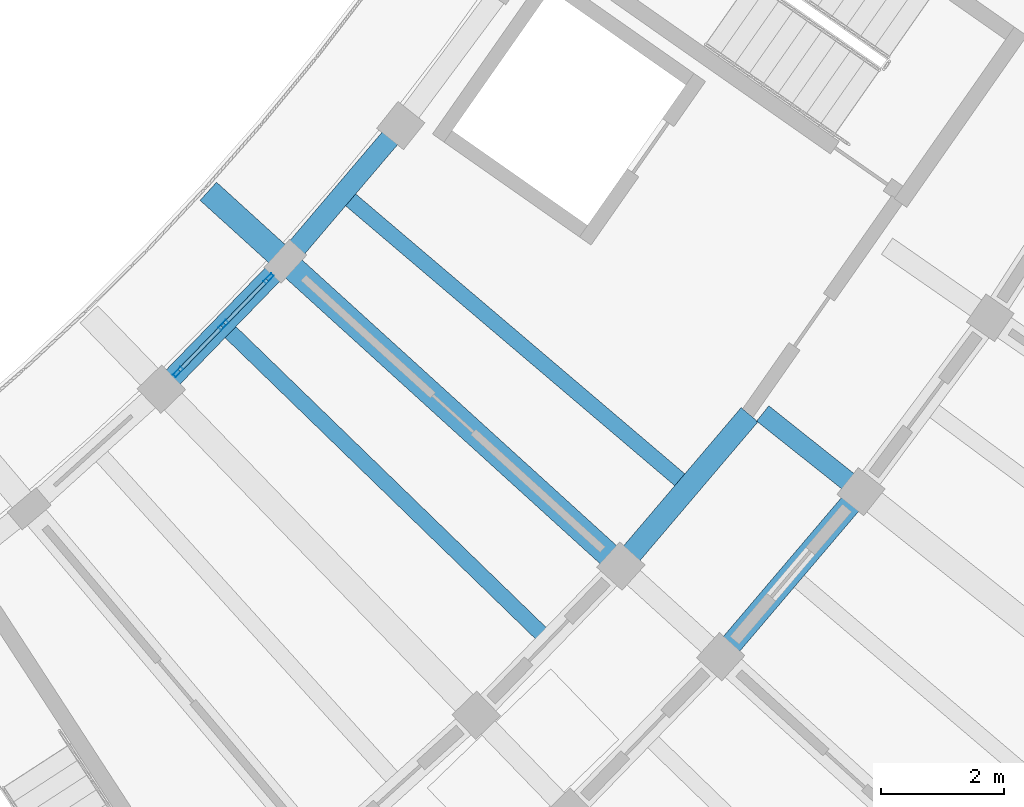
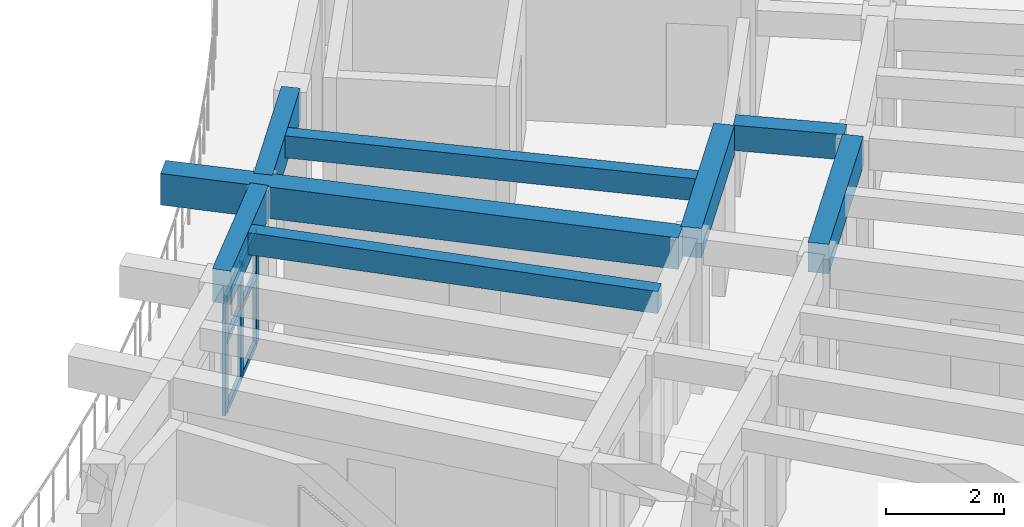
# One storey, part 13 of 69: 9 members, 8 beams, 1 element without a shape of its own.
"""IFC4 building model written with IfcOpenShell, lengths in metres."""

from ifc_helpers import new_model, si_unit, direction, frame, origin, origin_2d, place, context, subcontext, project, spatial, rectangle, hollow_rectangle, extrude, material, material_profile, profile_set, type_object, element, aggregate, save


model = new_model("IFC4")

# Units and contexts
model_context = context("Model", 3, precision=1e-05, world=origin(), true_north=direction((0.0, 1.0)))
body_context = subcontext(model_context, "Body", "Model", "MODEL_VIEW")
ifc_project = project(units=[si_unit("LENGTHUNIT", "METRE"), si_unit("AREAUNIT", "SQUARE_METRE"), si_unit("VOLUMEUNIT", "CUBIC_METRE"), si_unit("PLANEANGLEUNIT", "RADIAN"), si_unit("MASSUNIT", "GRAM", prefix="KILO")], contexts=[model_context])

# Site, building, storey
site_placement = place(None, origin())
site = spatial("IfcSite", under=ifc_project, at=site_placement, CompositionType="ELEMENT")
building_placement = place(site_placement, origin())
building = spatial("IfcBuilding", under=site, at=building_placement, Name="Tanwirah Colonnade Gardens", CompositionType="ELEMENT")
storey_placement = place(building_placement, frame((0.0, 0.0, 15.56005859375)))
storey = spatial("IfcBuildingStorey", under=building, at=storey_placement, Name="L04", CompositionType="ELEMENT", Elevation=15.56005859375)

# Beams
ifc_material_1 = material(Name="Precast concrete C40/50", Category="concrete")
ifc_material_profile_1 = material_profile(ifc_material_1, rectangle(XDim=0.360107421875, YDim=0.610107421875, at=origin_2d()), Name="PC-BM 360x610")
ifc_profile_set_1 = profile_set([ifc_material_profile_1], Name="Precast concrete C40/50")
beam_type_1 = type_object("IfcBeamType", Name="BM-PC300", PredefinedType="BEAM", material=ifc_profile_set_1)
beam_1_placement = place(storey_placement, frame((159.4775390625, 29.751953125, 2.804931640625), z_axis=(0.647730901566, 0.761869200819, 0.0), x_axis=(-0.761869200819, 0.647730901566, 0.0)))
element("IfcBeam", 1, at=beam_1_placement, inside=storey, type_object=beam_type_1, Name="Block D L04 Circumferential Beam 9-R1", PredefinedType="BEAM", context=body_context, shape_type="SweptSolid", body=[
    extrude(rectangle(XDim=0.360107421875, YDim=0.610107421875, at=origin_2d()), origin(), (0.0, 0.0, 1.0), 3.093017578125),
])
beam_2_placement = place(storey_placement, frame((161.10595703125, 28.27294921875, 2.804931640625), z_axis=(0.6478235549, 0.761790418499, 0.0), x_axis=(-0.761790418499, 0.6478235549, 0.0)))
element("IfcBeam", 2, at=beam_2_placement, inside=storey, type_object=beam_type_1, Name="Block D L04 Circumferential Beam 9-R2", PredefinedType="BEAM", context=body_context, shape_type="SweptSolid", body=[
    extrude(rectangle(XDim=0.360107421875, YDim=0.610107421875, at=origin_2d()), origin(), (0.0, 0.0, 1.0), 3.23681640625),
])
ifc_material_profile_2 = material_profile(ifc_material_1, rectangle(XDim=0.320068359375, YDim=0.52001953125, at=origin_2d()), Name="PC-BM 320x520")
ifc_profile_set_2 = profile_set([ifc_material_profile_2], Name="Precast concrete C40/50")
beam_type_2 = type_object("IfcBeamType", Name="BM-PC320", PredefinedType="BEAM", material=ifc_profile_set_2)
beam_3_placement = place(storey_placement, frame((161.695556640625, 32.129150390625, 2.849853515625), z_axis=(0.782670764896, -0.622435919415, 0.0), x_axis=(0.622435919415, 0.782670764896, 0.0)))
element("IfcBeam", 3, at=beam_3_placement, inside=storey, type_object=beam_type_2, Name="Block D L04 Corridor Tie Beam 10", PredefinedType="BEAM", context=body_context, shape_type="SweptSolid", body=[
    extrude(rectangle(XDim=0.320068359375, YDim=0.52001953125, at=origin_2d()), origin(), (0.0, 0.0, 1.0), 1.89990234375),
])
ifc_material_2 = material(Name="Precast concrete C45/55", Category="concrete")
ifc_material_profile_3 = material_profile(ifc_material_2, rectangle(XDim=0.39990234375, YDim=0.64990234375, at=origin_2d()), Name="PC-BM 400x650")
ifc_profile_set_3 = profile_set([ifc_material_profile_3], Name="Precast concrete C45/55")
beam_type_3 = type_object("IfcBeamType", Name="BM-PC400", PredefinedType="BEAM", material=ifc_profile_set_3)
beam_4_placement = place(storey_placement, frame((159.269287109375, 29.738525390625, 2.784912109375), z_axis=(-0.740212791446, 0.672372681911, 0.0), x_axis=(-0.672372681911, -0.740212791446, 0.0)))
element("IfcBeam", 4, at=beam_4_placement, inside=storey, type_object=beam_type_3, Name="Block D L04 Inner Radial Precast Girder 9", PredefinedType="BEAM", context=body_context, shape_type="SweptSolid", body=[
    extrude(rectangle(XDim=0.39990234375, YDim=0.64990234375, at=origin_2d()), origin(), (0.0, 0.0, 1.0), 8.9501953125),
])

# Curtain wall, members
ifc_material_3 = material(Name="Bronze-anodised aluminium and solar-control low-E glass", Category="aluminium")
curtain_wall_type = type_object("IfcCurtainWallType", Name="CW-GDN", PredefinedType="NOTDEFINED", material=ifc_material_3)
curtain_wall_placement = place(storey_placement, origin())
curtain_wall = element("IfcCurtainWall", 5, at=curtain_wall_placement, inside=storey, type_object=curtain_wall_type, Name="Curtain Wall CW-D-L04-IN-08", PredefinedType="NOTDEFINED")
ifc_material_4 = material(Name="Bronze-anodised aluminium", Category="aluminium")
ifc_material_profile_4 = material_profile(ifc_material_4, hollow_rectangle(XDim=0.06494140625, YDim=0.179931640625, WallThickness=0.00390625, at=origin_2d()), Name="CW-MUL 65x180x4")
ifc_profile_set_4 = profile_set([ifc_material_profile_4], Name="Bronze-anodised aluminium")
member_type_1 = type_object("IfcMemberType", Name="CWM-65x180", PredefinedType="MULLION", material=ifc_profile_set_4)
member_1_placement = place(storey_placement, frame((152.15087890625, 32.80712890625, 0.0), z_axis=(0.0, 0.0, 1.0), x_axis=(-0.717825107678, 0.696223466127, 0.0)))
member_1 = element("IfcMember", 6, at=member_1_placement, type_object=member_type_1, Name="CW-GDN mullion 1", PredefinedType="MULLION", context=body_context, shape_type="SweptSolid", body=[
    extrude(hollow_rectangle(XDim=0.06494140625, YDim=0.179931640625, WallThickness=0.00390625, at=origin_2d()), origin(), (0.0, 0.0, 1.0), 2.35498046875),
])
member_2_placement = place(storey_placement, frame((152.89013671875, 33.5693359375, 0.0), z_axis=(0.0, 0.0, 1.0), x_axis=(-0.717825107678, 0.696223466127, 0.0)))
member_2 = element("IfcMember", 7, at=member_2_placement, type_object=member_type_1, Name="CW-GDN mullion 2", PredefinedType="MULLION", context=body_context, shape_type="SweptSolid", body=[
    extrude(hollow_rectangle(XDim=0.06494140625, YDim=0.179931640625, WallThickness=0.00390625, at=origin_2d()), origin(), (0.0, 0.0, 1.0), 2.35498046875),
])
member_3_placement = place(storey_placement, frame((153.62939453125, 34.33154296875, 0.0), z_axis=(0.0, 0.0, 1.0), x_axis=(-0.717825107678, 0.696223466127, 0.0)))
member_3 = element("IfcMember", 8, at=member_3_placement, type_object=member_type_1, Name="CW-GDN mullion 3", PredefinedType="MULLION", context=body_context, shape_type="SweptSolid", body=[
    extrude(hollow_rectangle(XDim=0.06494140625, YDim=0.179931640625, WallThickness=0.00390625, at=origin_2d()), origin(), (0.0, 0.0, 1.0), 2.35498046875),
])
ifc_material_profile_5 = material_profile(ifc_material_4, hollow_rectangle(XDim=0.06494140625, YDim=0.135009765625, WallThickness=0.00390625, at=origin_2d()), Name="CW-TRN 65x135x4")
ifc_profile_set_5 = profile_set([ifc_material_profile_5], Name="Bronze-anodised aluminium")
member_type_2 = type_object("IfcMemberType", Name="CWT-65x135", PredefinedType="USERDEFINED", material=ifc_profile_set_5)
member_4_placement = place(storey_placement, frame((152.173583984375, 32.830322265625, 0.032470703125), z_axis=(0.696122883348, 0.717922649927, 0.0), x_axis=(-0.717922649927, 0.696122883348, 0.0)))
member_4 = element("IfcMember", 9, at=member_4_placement, type_object=member_type_2, Name="CW-GDN transom 1.1", ObjectType="TRANSOM", PredefinedType="USERDEFINED", context=body_context, shape_type="SweptSolid", body=[
    extrude(hollow_rectangle(XDim=0.06494140625, YDim=0.135009765625, WallThickness=0.00390625, at=origin_2d()), origin(), (0.0, 0.0, 1.0), 0.996826171875),
])
member_5_placement = place(storey_placement, frame((152.173583984375, 32.830322265625, 1.4599609375), z_axis=(0.696122883348, 0.717922649927, 0.0), x_axis=(-0.717922649927, 0.696122883348, 0.0)))
member_5 = element("IfcMember", 10, at=member_5_placement, type_object=member_type_2, Name="CW-GDN transom 1.2", ObjectType="TRANSOM", PredefinedType="USERDEFINED", context=body_context, shape_type="SweptSolid", body=[
    extrude(hollow_rectangle(XDim=0.06494140625, YDim=0.135009765625, WallThickness=0.00390625, at=origin_2d()), origin(), (0.0, 0.0, 1.0), 0.996826171875),
])
member_6_placement = place(storey_placement, frame((152.173583984375, 32.830322265625, 2.322509765625), z_axis=(0.696122883348, 0.717922649927, 0.0), x_axis=(-0.717922649927, 0.696122883348, 0.0)))
member_6 = element("IfcMember", 11, at=member_6_placement, type_object=member_type_2, Name="CW-GDN transom 1.3", ObjectType="TRANSOM", PredefinedType="USERDEFINED", context=body_context, shape_type="SweptSolid", body=[
    extrude(hollow_rectangle(XDim=0.06494140625, YDim=0.135009765625, WallThickness=0.00390625, at=origin_2d()), origin(), (0.0, 0.0, 1.0), 0.996826171875),
])
member_7_placement = place(storey_placement, frame((152.912841796875, 33.592529296875, 0.032470703125), z_axis=(0.696122883348, 0.717922649927, 0.0), x_axis=(-0.717922649927, 0.696122883348, 0.0)))
member_7 = element("IfcMember", 12, at=member_7_placement, type_object=member_type_2, Name="CW-GDN transom 2.1", ObjectType="TRANSOM", PredefinedType="USERDEFINED", context=body_context, shape_type="SweptSolid", body=[
    extrude(hollow_rectangle(XDim=0.06494140625, YDim=0.135009765625, WallThickness=0.00390625, at=origin_2d()), origin(), (0.0, 0.0, 1.0), 0.996826171875),
])
member_8_placement = place(storey_placement, frame((152.912841796875, 33.592529296875, 1.4599609375), z_axis=(0.696122883348, 0.717922649927, 0.0), x_axis=(-0.717922649927, 0.696122883348, 0.0)))
member_8 = element("IfcMember", 13, at=member_8_placement, type_object=member_type_2, Name="CW-GDN transom 2.2", ObjectType="TRANSOM", PredefinedType="USERDEFINED", context=body_context, shape_type="SweptSolid", body=[
    extrude(hollow_rectangle(XDim=0.06494140625, YDim=0.135009765625, WallThickness=0.00390625, at=origin_2d()), origin(), (0.0, 0.0, 1.0), 0.996826171875),
])
member_9_placement = place(storey_placement, frame((152.912841796875, 33.592529296875, 2.322509765625), z_axis=(0.696122883348, 0.717922649927, 0.0), x_axis=(-0.717922649927, 0.696122883348, 0.0)))
member_9 = element("IfcMember", 14, at=member_9_placement, type_object=member_type_2, Name="CW-GDN transom 2.3", ObjectType="TRANSOM", PredefinedType="USERDEFINED", context=body_context, shape_type="SweptSolid", body=[
    extrude(hollow_rectangle(XDim=0.06494140625, YDim=0.135009765625, WallThickness=0.00390625, at=origin_2d()), origin(), (0.0, 0.0, 1.0), 0.996826171875),
])
aggregate(curtain_wall, [member_1, member_2, member_3, member_4, member_5, member_6, member_7, member_8, member_9])

# Beams
ifc_material_profile_6 = material_profile(ifc_material_1, rectangle(XDim=0.2548828125, YDim=0.455078125, at=origin_2d()), Name="PC-JST 255x455")
ifc_profile_set_6 = profile_set([ifc_material_profile_6], Name="Precast concrete C40/50")
beam_type_4 = type_object("IfcBeamType", Name="JST-PC240", PredefinedType="JOIST", material=ifc_profile_set_6)
beam_5_placement = place(storey_placement, frame((152.993408203125, 33.46923828125, 2.88232421875), z_axis=(0.717816218075, -0.69623263143, 0.0), x_axis=(0.69623263143, 0.717816218075, 0.0)))
element("IfcBeam", 15, at=beam_5_placement, inside=storey, type_object=beam_type_4, Name="Block D L04 Inner Precast Floor Joist 8", PredefinedType="JOIST", context=body_context, shape_type="SweptSolid", body=[
    extrude(rectangle(XDim=0.2548828125, YDim=0.455078125, at=origin_2d()), origin(), (0.0, 0.0, 1.0), 7.16015625),
])
beam_6_placement = place(storey_placement, frame((154.954345703125, 35.628173828125, 2.88232421875), z_axis=(0.761816472242, -0.647792916464, 0.0), x_axis=(0.647792916464, 0.761816472242, 0.0)))
element("IfcBeam", 16, at=beam_6_placement, inside=storey, type_object=beam_type_4, Name="Block D L04 Inner Precast Floor Joist 9", PredefinedType="JOIST", context=body_context, shape_type="SweptSolid", body=[
    extrude(rectangle(XDim=0.2548828125, YDim=0.455078125, at=origin_2d()), origin(), (0.0, 0.0, 1.0), 7.159912109375),
])
ifc_material_profile_7 = material_profile(ifc_material_1, rectangle(XDim=0.324951171875, YDim=0.68505859375, at=origin_2d()), Name="PC-SP 325x685")
ifc_profile_set_7 = profile_set([ifc_material_profile_7], Name="Precast concrete C40/50")
beam_type_5 = type_object("IfcBeamType", Name="SP-PC260", PredefinedType="SPANDREL", material=ifc_profile_set_7)
beam_7_placement = place(storey_placement, frame((151.98193359375, 32.633056640625, 2.767333984375), z_axis=(0.696262751108, 0.717787002822, 0.0), x_axis=(-0.717787002822, 0.696262751108, 0.0)))
element("IfcBeam", 17, at=beam_7_placement, inside=storey, type_object=beam_type_5, Name="Block D L04 Circumferential Beam 8-R0", PredefinedType="SPANDREL", context=body_context, shape_type="SweptSolid", body=[
    extrude(rectangle(XDim=0.324951171875, YDim=0.68505859375, at=origin_2d()), origin(), (0.0, 0.0, 1.0), 2.60888671875),
])
beam_8_placement = place(storey_placement, frame((153.999755859375, 34.7275390625, 2.767333984375), z_axis=(0.647811402053, 0.761800753065, 0.0), x_axis=(-0.761800753065, 0.647811402053, 0.0)))
element("IfcBeam", 18, at=beam_8_placement, inside=storey, type_object=beam_type_5, Name="Block D L04 Circumferential Beam 9-R0", PredefinedType="SPANDREL", context=body_context, shape_type="SweptSolid", body=[
    extrude(rectangle(XDim=0.324951171875, YDim=0.68505859375, at=origin_2d()), origin(), (0.0, 0.0, 1.0), 2.608642578125),
])

save(model, "model.ifc")
